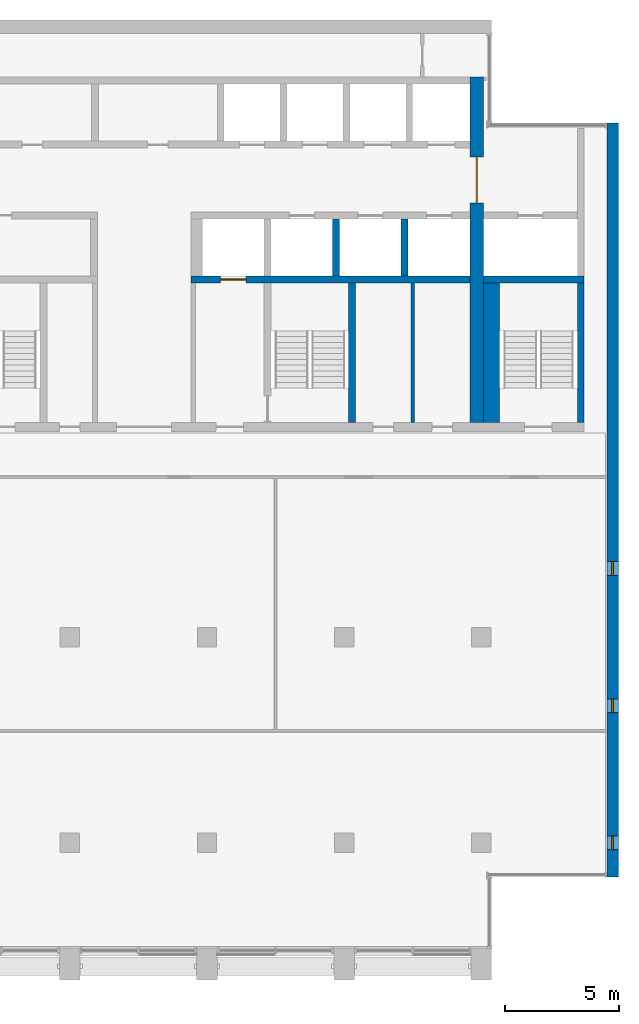
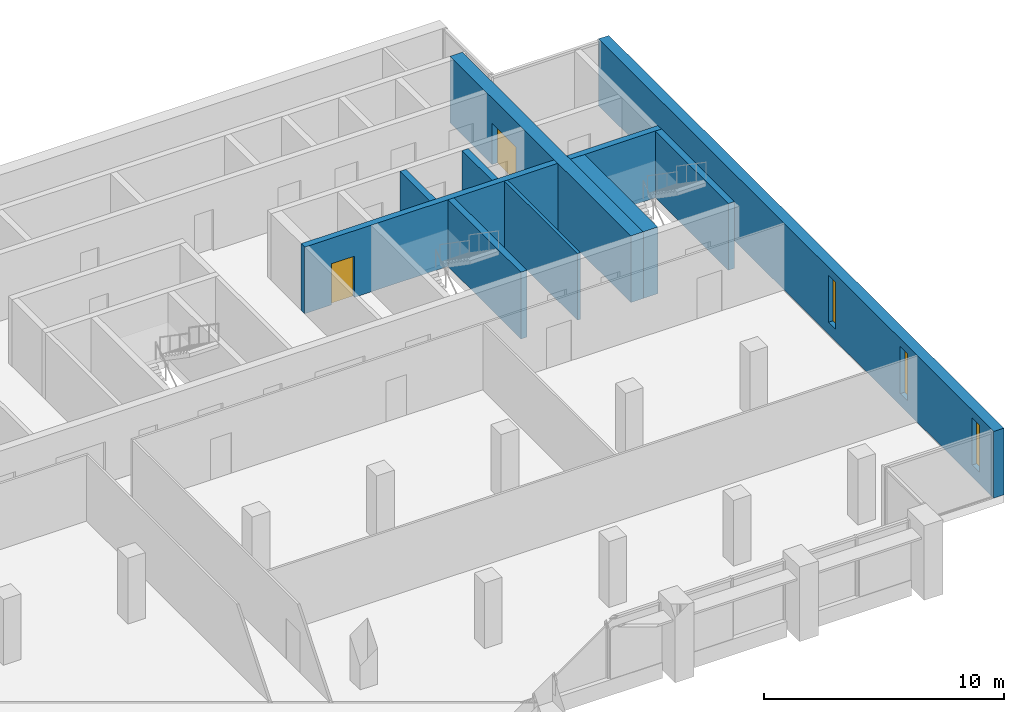
# One storey, part 9 of 14: 10 walls, 3 windows, 2 doors, 5 openings.
"""IFC4 building model written with IfcOpenShell, lengths in metres."""

from ifc_helpers import new_model, si_unit, direction, frame, frame_2d, origin, place, context, subcontext, project, spatial, rectangle, extrude, material, layer, layer_set, type_object, element, fill, save


model = new_model("IFC4")

# Units and contexts
model_context = context("Model", 3, precision=1e-05, world=origin(), true_north=direction((0.0, 1.0)))
body_context = subcontext(model_context, "Body", "Model", "MODEL_VIEW")
ifc_project = project(units=[si_unit("LENGTHUNIT", "METRE"), si_unit("AREAUNIT", "SQUARE_METRE"), si_unit("VOLUMEUNIT", "CUBIC_METRE"), si_unit("PLANEANGLEUNIT", "RADIAN"), si_unit("MASSUNIT", "GRAM", prefix="KILO")], contexts=[model_context])

# Site, building, storey
site_placement = place(None, origin())
site = spatial("IfcSite", under=ifc_project, at=site_placement, CompositionType="ELEMENT")
building_placement = place(site_placement, origin())
building = spatial("IfcBuilding", under=site, at=building_placement, Name="Calvaro Tower", CompositionType="ELEMENT")
storey_placement = place(building_placement, frame((0.0, 0.0, 246.949951171875)))
storey = spatial("IfcBuildingStorey", under=building, at=storey_placement, Name="L62", CompositionType="ELEMENT", Elevation=246.949951171875)

# Walls
ifc_material_1 = material(Name="Blockwork partition", Category="masonry")
ifc_layer_1 = layer(ifc_material_1, 0.14990234375)
ifc_layer_set_1 = layer_set([ifc_layer_1], Name="Blockwork partition")
wall_type_1 = type_object("IfcWallType", Name="Core partition 150 EI 60", PredefinedType="PARTITIONING", material=ifc_layer_set_1)
wall_1_placement = place(storey_placement, frame((57.0, 28.39990234375, 0.0), z_axis=(0.0, 0.0, 1.0), x_axis=(0.0, 1.0, 0.0)))
element("IfcWall", 1, at=wall_1_placement, inside=storey, type_object=wall_type_1, Name="Core partition", PredefinedType="PARTITIONING", context=body_context, shape_type="SweptSolid", body=[
    extrude(rectangle(XDim=6.10009765625, YDim=0.14990234375, at=frame_2d((3.050048828125, 0.0))), origin(), (0.0, 0.0, 1.0), 3.400146484375),
])
ifc_material_2 = material(Name="Concrete C40/50", Category="concrete")
ifc_layer_2 = layer(ifc_material_2, 0.300048828125)
ifc_layer_set_2 = layer_set([ifc_layer_2], Name="Concrete C40/50")
wall_type_2 = type_object("IfcWallType", Name="Core wall C40/50 300", PredefinedType="SHEAR", material=ifc_layer_set_2)
for number, where, z_axis, x_axis, name in (
    (2, (54.35009765625, 28.39990234375, 0.0), (0.0, 0.0, 1.0), (0.0, 1.0, 0.0), "Core wall, stair enclosure"),
    (3, (64.35009765625, 28.39990234375, 0.0), (0.0, 0.0, 1.0), (0.0, 1.0, 0.0), "Core wall, stair enclosure"),
):
    element("IfcWall", number, at=place(storey_placement, frame(where, z_axis=z_axis, x_axis=x_axis)), inside=storey, type_object=wall_type_2, Name=name, PredefinedType="SHEAR", context=body_context, shape_type="SweptSolid", body=[
        extrude(rectangle(XDim=6.10009765625, YDim=0.300048828125, at=frame_2d((3.050048828125, 0.0))), origin(), (0.0, 0.0, 1.0), 3.400146484375),
    ])

# Wall, opening, door
wall_2_placement = place(storey_placement, frame((47.300048828125, 34.64990234375, 0.0), z_axis=(0.0, 0.0, 1.0), x_axis=(1.0, 0.0, 0.0)))
wall_2 = element("IfcWall", 4, at=wall_2_placement, inside=storey, type_object=wall_type_2, Name="Core wall, lift shaft", PredefinedType="SHEAR", context=body_context, shape_type="SweptSolid", body=[
    extrude(rectangle(XDim=12.199951171875, YDim=0.300048828125, at=frame_2d((6.10009765625, 0.0))), origin(), (0.0, 0.0, 1.0), 3.400146484375),
])
opening_1_placement = place(wall_2_placement, frame((1.300048828125, 0.0, 0.0)))
opening_1 = element("IfcOpeningElement", 5, at=opening_1_placement, cuts=wall_2, Name="Opening FF2", PredefinedType="OPENING", context=body_context, shape_type="SweptSolid", body=[
    extrude(rectangle(XDim=1.10009765625, YDim=2.10009765625, at=frame_2d((0.550048828125, 1.050048828125))), frame((0.0, 0.159912109375, 0.0), z_axis=(0.0, -1.0, 0.0), x_axis=(1.0, 0.0, 0.0)), (0.0, 0.0, 1.0), 0.320068359375),
])
ifc_material_3 = material(Name="Stainless steel", Category="steel")
door_type_1 = type_object("IfcDoorType", Name="Landing door 1100 E 60", OperationType="SLIDING_TO_LEFT", PredefinedType="DOOR", material=ifc_material_3)
door_1_placement = place(opening_1_placement, origin())
door_1 = element("IfcDoor", 6, at=door_1_placement, inside=storey, type_object=door_type_1, Name="Landing door FF2", OperationType="SLIDING_TO_LEFT", OverallHeight=2.10009765625, OverallWidth=1.10009765625, PredefinedType="DOOR", context=body_context, shape_type="SweptSolid", body=[
    extrude(rectangle(XDim=1.10009765625, YDim=2.10009765625, at=frame_2d((0.550048828125, 1.050048828125))), frame((0.0, 0.02490234375, 0.0), z_axis=(0.0, -1.0, 0.0), x_axis=(1.0, 0.0, 0.0)), (0.0, 0.0, 1.0), 0.050048828125),
])
fill(opening_1, door_1)

# Walls
wall_3_placement = place(storey_placement, frame((60.10009765625, 34.64990234375, 0.0), z_axis=(0.0, 0.0, 1.0), x_axis=(1.0, 0.0, 0.0)))
element("IfcWall", 7, at=wall_3_placement, inside=storey, type_object=wall_type_2, Name="Core wall, lift shaft", PredefinedType="SHEAR", context=body_context, shape_type="SweptSolid", body=[
    extrude(rectangle(XDim=4.39990234375, YDim=0.300048828125, at=frame_2d((2.199951171875, 0.0))), origin(), (0.0, 0.0, 1.0), 3.400146484375),
])
for number, where, z_axis, x_axis, name in (
    (8, (53.64990234375, 34.800048828125, 0.0), (0.0, 0.0, 1.0), (0.0, 1.0, 0.0), "Core wall, lift shaft"),
    (9, (56.64990234375, 34.800048828125, 0.0), (0.0, 0.0, 1.0), (0.0, 1.0, 0.0), "Core wall, lift shaft"),
):
    element("IfcWall", number, at=place(storey_placement, frame(where, z_axis=z_axis, x_axis=x_axis)), inside=storey, type_object=wall_type_2, Name=name, PredefinedType="SHEAR", context=body_context, shape_type="SweptSolid", body=[
        extrude(rectangle(XDim=2.5, YDim=0.300048828125, at=frame_2d((1.25, 0.0))), origin(), (0.0, 0.0, 1.0), 3.400146484375),
    ])

# Wall, opening, door
ifc_material_4 = material(Name="Concrete C40/50", Category="concrete")
ifc_layer_3 = layer(ifc_material_4, 0.60009765625)
ifc_layer_set_3 = layer_set([ifc_layer_3], Name="Concrete C40/50")
wall_type_3 = type_object("IfcWallType", Name="Core wall C40/50 600", PredefinedType="SHEAR", material=ifc_layer_set_3)
wall_4_placement = place(storey_placement, frame((59.800048828125, 28.39990234375, 0.0), z_axis=(0.0, 0.0, 1.0), x_axis=(0.0, 1.0, 0.0)))
wall_4 = element("IfcWall", 10, at=wall_4_placement, inside=storey, type_object=wall_type_3, Name="Core wall, cross shear wall", PredefinedType="SHEAR", context=body_context, shape_type="SweptSolid", body=[
    extrude(rectangle(XDim=15.10009765625, YDim=0.60009765625, at=frame_2d((7.550048828125, 0.0))), origin(), (0.0, 0.0, 1.0), 3.400146484375),
])
opening_2_placement = place(wall_4_placement, frame((9.60009765625, 0.0, 0.0)))
opening_2 = element("IfcOpeningElement", 11, at=opening_2_placement, cuts=wall_4, Name="Opening DD20D", PredefinedType="OPENING", context=body_context, shape_type="SweptSolid", body=[
    extrude(rectangle(XDim=2.0, YDim=2.10009765625, at=frame_2d((1.0, 1.050048828125))), frame((0.0, 0.31005859375, 0.0), z_axis=(0.0, -1.0, 0.0), x_axis=(1.0, 0.0, 0.0)), (0.0, 0.0, 1.0), 0.6201171875),
])
ifc_material_5 = material(Name="Steel door set", Category="steel")
door_type_2 = type_object("IfcDoorType", Name="Lobby double door 2000 FD30S", OperationType="DOUBLE_DOOR_SINGLE_SWING", PredefinedType="DOOR", material=ifc_material_5)
door_2_placement = place(opening_2_placement, origin())
door_2 = element("IfcDoor", 12, at=door_2_placement, inside=storey, type_object=door_type_2, Name="Lobby double door", OperationType="DOUBLE_DOOR_SINGLE_SWING", OverallHeight=2.10009765625, OverallWidth=2.0, PredefinedType="DOOR", context=body_context, shape_type="SweptSolid", body=[
    extrude(rectangle(XDim=2.0, YDim=2.10009765625, at=frame_2d((1.0, 1.050048828125))), frame((0.0, 0.02490234375, 0.0), z_axis=(0.0, -1.0, 0.0), x_axis=(1.0, 0.0, 0.0)), (0.0, 0.0, 1.0), 0.050048828125),
])
fill(opening_2, door_2)

# Wall
ifc_material_6 = material(Name="Concrete C40/50", Category="concrete")
ifc_layer_4 = layer(ifc_material_6, 0.699951171875)
ifc_layer_set_4 = layer_set([ifc_layer_4], Name="Concrete C40/50")
wall_type_4 = type_object("IfcWallType", Name="Core wall C40/50 700", PredefinedType="SHEAR", material=ifc_layer_set_4)
wall_5_placement = place(storey_placement, frame((60.449951171875, 28.39990234375, 0.0), z_axis=(0.0, 0.0, 1.0), x_axis=(0.0, 1.0, 0.0)))
element("IfcWall", 13, at=wall_5_placement, inside=storey, type_object=wall_type_4, Name="Core wall, stair enclosure", PredefinedType="SHEAR", context=body_context, shape_type="SweptSolid", body=[
    extrude(rectangle(XDim=6.10009765625, YDim=0.699951171875, at=frame_2d((3.050048828125, 0.0))), origin(), (0.0, 0.0, 1.0), 3.400146484375),
])

# Wall, openings, windows
ifc_material_7 = material(Name="Concrete C40/50", Category="concrete")
ifc_layer_5 = layer(ifc_material_7, 0.5)
ifc_layer_set_5 = layer_set([ifc_layer_5], Name="Concrete C40/50")
wall_type_5 = type_object("IfcWallType", Name="End wall 500 C40/50", PredefinedType="SHEAR", material=ifc_layer_set_5)
wall_6_placement = place(storey_placement, frame((65.75, 8.5, 0.0), z_axis=(0.0, 0.0, 1.0), x_axis=(0.0, 1.0, 0.0)))
wall_6 = element("IfcWall", 14, at=wall_6_placement, inside=storey, type_object=wall_type_5, Name="End shear wall", PredefinedType="SHEAR", context=body_context, shape_type="SweptSolid", body=[
    extrude(rectangle(XDim=33.0, YDim=0.5, at=frame_2d((16.5, 0.0))), origin(), (0.0, 0.0, 1.0), 3.400146484375),
])
opening_3_placement = place(wall_6_placement, frame((1.199951171875, 0.0, 0.60009765625)))
opening_3 = element("IfcOpeningElement", 15, at=opening_3_placement, cuts=wall_6, Name="Opening WE01", PredefinedType="OPENING", context=body_context, shape_type="SweptSolid", body=[
    extrude(rectangle(XDim=0.60009765625, YDim=2.39990234375, at=frame_2d((0.300048828125, 1.199951171875))), frame((0.0, 0.260009765625, 0.0), z_axis=(0.0, -1.0, 0.0), x_axis=(1.0, 0.0, 0.0)), (0.0, 0.0, 1.0), 0.52001953125),
])
opening_4_placement = place(wall_6_placement, frame((7.199951171875, 0.0, 0.60009765625)))
opening_4 = element("IfcOpeningElement", 16, at=opening_4_placement, cuts=wall_6, Name="Opening WE02", PredefinedType="OPENING", context=body_context, shape_type="SweptSolid", body=[
    extrude(rectangle(XDim=0.60009765625, YDim=2.39990234375, at=frame_2d((0.300048828125, 1.199951171875))), frame((0.0, 0.260009765625, 0.0), z_axis=(0.0, -1.0, 0.0), x_axis=(1.0, 0.0, 0.0)), (0.0, 0.0, 1.0), 0.52001953125),
])
opening_5_placement = place(wall_6_placement, frame((13.199951171875, 0.0, 0.60009765625)))
opening_5 = element("IfcOpeningElement", 17, at=opening_5_placement, cuts=wall_6, Name="Opening WE03", PredefinedType="OPENING", context=body_context, shape_type="SweptSolid", body=[
    extrude(rectangle(XDim=0.60009765625, YDim=2.39990234375, at=frame_2d((0.300048828125, 1.199951171875))), frame((0.0, 0.260009765625, 0.0), z_axis=(0.0, -1.0, 0.0), x_axis=(1.0, 0.0, 0.0)), (0.0, 0.0, 1.0), 0.52001953125),
])
ifc_material_8 = material(Name="Glass", Category="glass")
window_type = type_object("IfcWindowType", Name="Slit window 600 x 2400", PartitioningType="SINGLE_PANEL", PredefinedType="WINDOW", material=ifc_material_8)
window_1_placement = place(opening_3_placement, origin())
window_1 = element("IfcWindow", 18, at=window_1_placement, inside=storey, type_object=window_type, Name="Window WE01", OverallHeight=2.39990234375, OverallWidth=0.60009765625, PartitioningType="SINGLE_PANEL", PredefinedType="WINDOW", context=body_context, shape_type="SweptSolid", body=[
    extrude(rectangle(XDim=0.60009765625, YDim=2.39990234375, at=frame_2d((0.300048828125, 1.199951171875))), frame((0.0, 0.030029296875, 0.0), z_axis=(0.0, -1.0, 0.0), x_axis=(1.0, 0.0, 0.0)), (0.0, 0.0, 1.0), 0.06005859375),
])
fill(opening_3, window_1)
window_2_placement = place(opening_4_placement, origin())
window_2 = element("IfcWindow", 19, at=window_2_placement, inside=storey, type_object=window_type, Name="Window WE02", OverallHeight=2.39990234375, OverallWidth=0.60009765625, PartitioningType="SINGLE_PANEL", PredefinedType="WINDOW", context=body_context, shape_type="SweptSolid", body=[
    extrude(rectangle(XDim=0.60009765625, YDim=2.39990234375, at=frame_2d((0.300048828125, 1.199951171875))), frame((0.0, 0.030029296875, 0.0), z_axis=(0.0, -1.0, 0.0), x_axis=(1.0, 0.0, 0.0)), (0.0, 0.0, 1.0), 0.06005859375),
])
fill(opening_4, window_2)
window_3_placement = place(opening_5_placement, origin())
window_3 = element("IfcWindow", 20, at=window_3_placement, inside=storey, type_object=window_type, Name="Window WE03", OverallHeight=2.39990234375, OverallWidth=0.60009765625, PartitioningType="SINGLE_PANEL", PredefinedType="WINDOW", context=body_context, shape_type="SweptSolid", body=[
    extrude(rectangle(XDim=0.60009765625, YDim=2.39990234375, at=frame_2d((0.300048828125, 1.199951171875))), frame((0.0, 0.030029296875, 0.0), z_axis=(0.0, -1.0, 0.0), x_axis=(1.0, 0.0, 0.0)), (0.0, 0.0, 1.0), 0.06005859375),
])
fill(opening_5, window_3)

save(model, "model.ifc")
